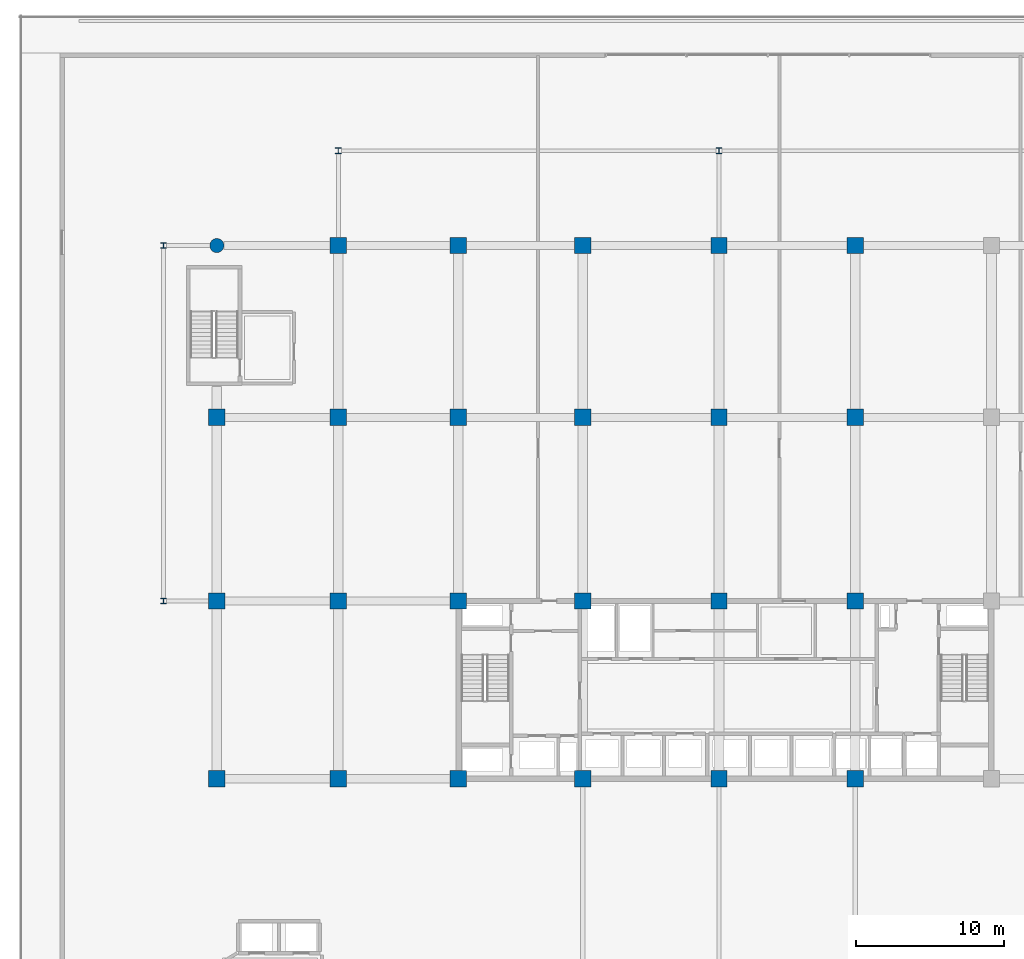
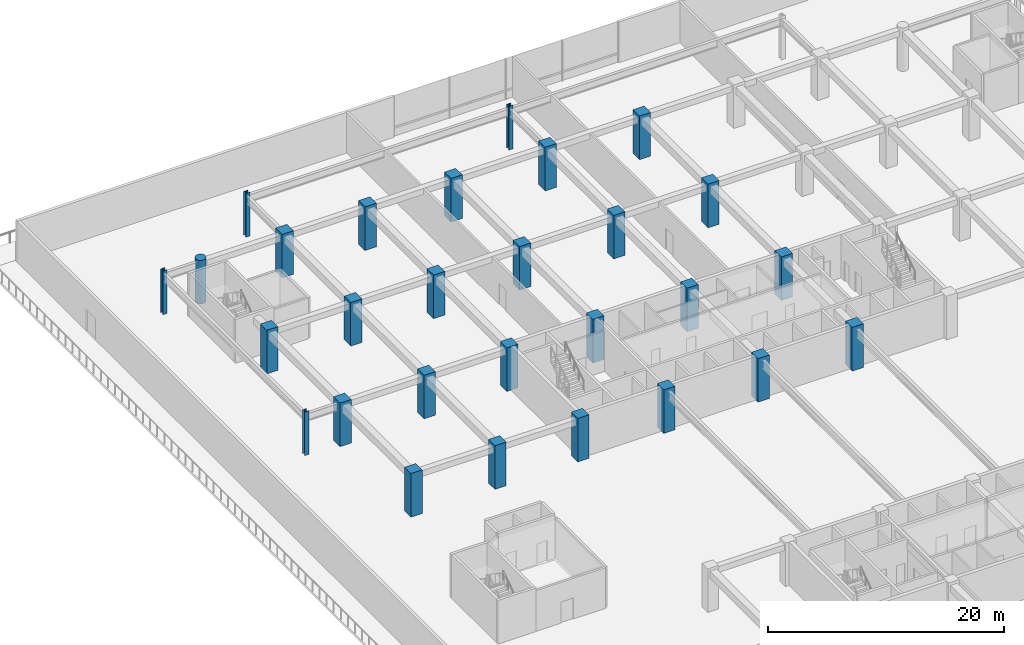
# One storey, part 4 of 43: 28 columns.
"""IFC4 building model written with IfcOpenShell, lengths in metres."""

from ifc_helpers import new_model, si_unit, direction, frame, origin, origin_2d, place, context, subcontext, project, spatial, rectangle, circle, i_section, extrude, material, material_profile, profile_set, type_object, element, save


model = new_model("IFC4")

# Units and contexts
model_context = context("Model", 3, precision=1e-05, world=origin(), true_north=direction((0.0, 1.0)))
body_context = subcontext(model_context, "Body", "Model", "MODEL_VIEW")
ifc_project = project(units=[si_unit("LENGTHUNIT", "METRE"), si_unit("AREAUNIT", "SQUARE_METRE"), si_unit("VOLUMEUNIT", "CUBIC_METRE"), si_unit("PLANEANGLEUNIT", "RADIAN"), si_unit("MASSUNIT", "GRAM", prefix="KILO")], contexts=[model_context])

# Site, building, storey
site_placement = place(None, origin())
site = spatial("IfcSite", under=ifc_project, at=site_placement, CompositionType="ELEMENT")
building_placement = place(site_placement, origin())
building = spatial("IfcBuilding", under=site, at=building_placement, Name="Korimba Cascade Residences", CompositionType="ELEMENT")
storey_placement = place(building_placement, frame((0.0, 0.0, 10.0)))
storey = spatial("IfcBuildingStorey", under=building, at=storey_placement, Name="L02", CompositionType="ELEMENT", Elevation=10.0)

# Columns
ifc_material_1 = material(Name="Concrete C80/95", Category="concrete")
ifc_material_profile_1 = material_profile(ifc_material_1, rectangle(XDim=1.10009765625, YDim=1.10009765625, at=origin_2d()), Name="Concrete C80/95")
ifc_profile_set_1 = profile_set([ifc_material_profile_1], Name="Concrete C80/95")
column_type_1 = type_object("IfcColumnType", Name="COL-RC-1100", PredefinedType="COLUMN", material=ifc_profile_set_1)
for number, where, z_axis, x_axis, name in (
    (1, (59.800048828125, 55.199951171875, 0.0), (0.0, 0.0, 1.0), (1.0, 0.0, 0.0), "L02 Tower 1 Column 1.1"),
    (2, (59.800048828125, 67.199951171875, 0.0), (0.0, 0.0, 1.0), (1.0, 0.0, 0.0), "L02 Tower 1 Column 1.2"),
    (3, (59.800048828125, 79.60009765625, 0.0), (0.0, 0.0, 1.0), (1.0, 0.0, 0.0), "L02 Tower 1 Column 1.3"),
    (4, (68.0, 55.199951171875, 0.0), (0.0, 0.0, 1.0), (1.0, 0.0, 0.0), "L02 Tower 1 Column 2.1"),
    (5, (68.0, 67.199951171875, 0.0), (0.0, 0.0, 1.0), (1.0, 0.0, 0.0), "L02 Tower 1 Column 2.2"),
    (6, (68.0, 79.60009765625, 0.0), (0.0, 0.0, 1.0), (1.0, 0.0, 0.0), "L02 Tower 1 Column 2.3"),
    (7, (68.0, 91.199951171875, 0.0), (0.0, 0.0, 1.0), (1.0, 0.0, 0.0), "L02 Tower 1 Column 2.4"),
    (8, (76.10009765625, 55.199951171875, 0.0), (0.0, 0.0, 1.0), (1.0, 0.0, 0.0), "L02 Tower 1 Column 3.1"),
    (9, (76.10009765625, 67.199951171875, 0.0), (0.0, 0.0, 1.0), (1.0, 0.0, 0.0), "L02 Tower 1 Column 3.2"),
    (10, (76.10009765625, 79.60009765625, 0.0), (0.0, 0.0, 1.0), (1.0, 0.0, 0.0), "L02 Tower 1 Column 3.3"),
    (11, (76.10009765625, 91.199951171875, 0.0), (0.0, 0.0, 1.0), (1.0, 0.0, 0.0), "L02 Tower 1 Column 3.4"),
    (12, (84.5, 55.199951171875, 0.0), (0.0, 0.0, 1.0), (1.0, 0.0, 0.0), "L02 Tower 1 Column 4.1"),
    (13, (84.5, 67.199951171875, 0.0), (0.0, 0.0, 1.0), (1.0, 0.0, 0.0), "L02 Tower 1 Column 4.2"),
    (14, (84.5, 79.60009765625, 0.0), (0.0, 0.0, 1.0), (1.0, 0.0, 0.0), "L02 Tower 1 Column 4.3"),
    (15, (84.5, 91.199951171875, 0.0), (0.0, 0.0, 1.0), (1.0, 0.0, 0.0), "L02 Tower 1 Column 4.4"),
    (16, (93.699951171875, 55.199951171875, 0.0), (0.0, 0.0, 1.0), (1.0, 0.0, 0.0), "L02 Tower 1 Column 5.1"),
    (17, (93.699951171875, 67.199951171875, 0.0), (0.0, 0.0, 1.0), (1.0, 0.0, 0.0), "L02 Tower 1 Column 5.2"),
    (18, (93.699951171875, 79.60009765625, 0.0), (0.0, 0.0, 1.0), (1.0, 0.0, 0.0), "L02 Tower 1 Column 5.3"),
    (19, (93.699951171875, 91.199951171875, 0.0), (0.0, 0.0, 1.0), (1.0, 0.0, 0.0), "L02 Tower 1 Column 5.4"),
    (20, (102.89990234375, 55.199951171875, 0.0), (0.0, 0.0, 1.0), (1.0, 0.0, 0.0), "L02 Tower 1 Column 6.1"),
    (21, (102.89990234375, 67.199951171875, 0.0), (0.0, 0.0, 1.0), (1.0, 0.0, 0.0), "L02 Tower 1 Column 6.2"),
    (22, (102.89990234375, 79.60009765625, 0.0), (0.0, 0.0, 1.0), (1.0, 0.0, 0.0), "L02 Tower 1 Column 6.3"),
    (23, (102.89990234375, 91.199951171875, 0.0), (0.0, 0.0, 1.0), (1.0, 0.0, 0.0), "L02 Tower 1 Column 6.4"),
):
    element("IfcColumn", number, at=place(storey_placement, frame(where, z_axis=z_axis, x_axis=x_axis)), inside=storey, type_object=column_type_1, Name=name, PredefinedType="COLUMN", context=body_context, shape_type="SweptSolid", body=[
        extrude(rectangle(XDim=1.10009765625, YDim=1.10009765625, at=origin_2d()), origin(), (0.0, 0.0, 1.0), 4.5),
    ])
ifc_material_profile_2 = material_profile(ifc_material_1, circle(Radius=0.47509765625, at=origin_2d()), Name="Concrete C80/95")
ifc_profile_set_2 = profile_set([ifc_material_profile_2], Name="Concrete C80/95")
column_type_2 = type_object("IfcColumnType", Name="COL-RC-D950", PredefinedType="COLUMN", material=ifc_profile_set_2)
column_placement = place(storey_placement, frame((59.800048828125, 91.199951171875, 0.0), z_axis=(0.0, 0.0, 1.0), x_axis=(1.0, 0.0, 0.0)))
element("IfcColumn", 24, at=column_placement, inside=storey, type_object=column_type_2, Name="L02 Tower 1 Column 1.4", PredefinedType="COLUMN", context=body_context, shape_type="SweptSolid", body=[
    extrude(circle(Radius=0.47509765625, at=origin_2d()), origin(), (0.0, 0.0, 1.0), 4.5),
])
ifc_material_2 = material(Name="Steel S355", Category="steel")
ifc_material_profile_3 = material_profile(ifc_material_2, i_section(OverallWidth=0.39892578125, OverallDepth=0.3935546875, WebThickness=0.022705078125, FlangeThickness=0.03662109375, FilletRadius=0.01513671875, at=origin_2d()), Name="Steel S355")
ifc_profile_set_3 = profile_set([ifc_material_profile_3], Name="Steel S355")
column_type_3 = type_object("IfcColumnType", Name="COL-STL-UC287", PredefinedType="COLUMN", material=ifc_profile_set_3)
for number, where, z_axis, x_axis, name in (
    (25, (56.199951171875, 67.199951171875, 0.0), (0.0, 0.0, 1.0), (1.0, 0.0, 0.0), "L02 Podium Column PCW3"),
    (26, (56.199951171875, 91.199951171875, 0.0), (0.0, 0.0, 1.0), (1.0, 0.0, 0.0), "L02 Podium Column PCW4"),
    (27, (68.0, 97.60009765625, 0.0), (0.0, 0.0, 1.0), (1.0, 0.0, 0.0), "L02 Podium Column PCN1"),
    (28, (93.699951171875, 97.60009765625, 0.0), (0.0, 0.0, 1.0), (1.0, 0.0, 0.0), "L02 Podium Column PCN2"),
):
    element("IfcColumn", number, at=place(storey_placement, frame(where, z_axis=z_axis, x_axis=x_axis)), inside=storey, type_object=column_type_3, Name=name, PredefinedType="COLUMN", context=body_context, shape_type="SweptSolid", body=[
        extrude(i_section(OverallWidth=0.39892578125, OverallDepth=0.3935546875, WebThickness=0.022705078125, FlangeThickness=0.03662109375, FilletRadius=0.01513671875, at=origin_2d()), origin(), (0.0, 0.0, 1.0), 4.5),
    ])

save(model, "model.ifc")
